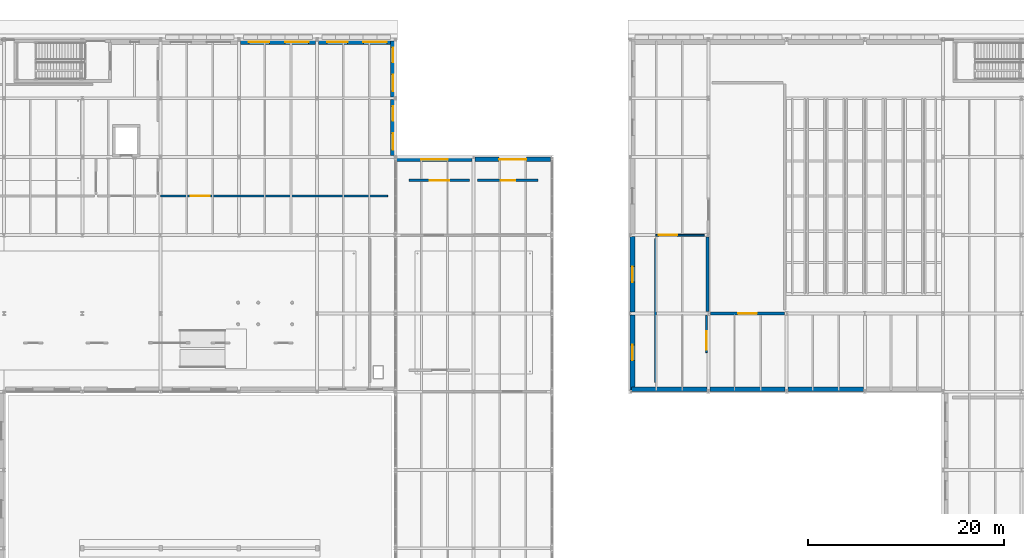
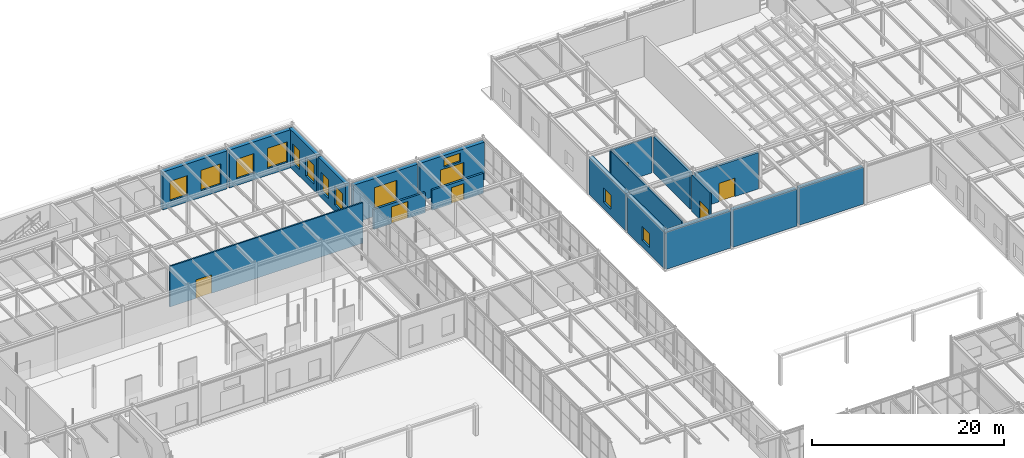
# One storey, part 83 of 129: 19 walls, 12 windows, 7 doors, 19 openings.
"""IFC4 building model written with IfcOpenShell, lengths in metres."""

from ifc_helpers import new_model, si_unit, direction, frame, frame_2d, origin, place, context, subcontext, project, spatial, rectangle, extrude, material, layer, layer_set, type_object, element, fill, save


model = new_model("IFC4")

# Units and contexts
model_context = context("Model", 3, precision=1e-05, world=origin(), true_north=direction((0.0, 1.0)))
body_context = subcontext(model_context, "Body", "Model", "MODEL_VIEW")
ifc_project = project(units=[si_unit("LENGTHUNIT", "METRE"), si_unit("AREAUNIT", "SQUARE_METRE"), si_unit("VOLUMEUNIT", "CUBIC_METRE"), si_unit("PLANEANGLEUNIT", "RADIAN"), si_unit("MASSUNIT", "GRAM", prefix="KILO")], contexts=[model_context])

# Site, building, storey
site_placement = place(None, origin())
site = spatial("IfcSite", under=ifc_project, at=site_placement, CompositionType="ELEMENT")
building_placement = place(site_placement, origin())
building = spatial("IfcBuilding", under=site, at=building_placement, Name="Sundkrona Museum", CompositionType="ELEMENT")
storey_placement = place(building_placement, origin())
storey = spatial("IfcBuildingStorey", under=building, at=storey_placement, Name="L00", CompositionType="ELEMENT", Elevation=0.0)

# Wall, opening, door
ifc_material_1 = material(Name="Acoustic Double-Leaf Brick Masonry 275 mm", Category="masonry")
ifc_layer_1 = layer(ifc_material_1, 0.27490234375)
ifc_layer_set_1 = layer_set([ifc_layer_1], Name="Acoustic Double-Leaf Brick Masonry 275 mm")
wall_type_1 = type_object("IfcWallType", Name="W-AUD-275", PredefinedType="SOLIDWALL", material=ifc_layer_set_1)
wall_1_placement = place(storey_placement, frame((112.199951171875, 86.0, 0.0), z_axis=(0.0, 0.0, 1.0), x_axis=(1.0, 0.0, 0.0)))
wall_1 = element("IfcWall", 1, at=wall_1_placement, inside=storey, type_object=wall_type_1, Name="L00 Partition Auditorium South Corridor / Auditorium", PredefinedType="SOLIDWALL", context=body_context, shape_type="SweptSolid", body=[
    extrude(rectangle(XDim=7.60009765625, YDim=0.27490234375, at=frame_2d((3.800048828125, 0.0))), origin(), (0.0, 0.0, 1.0), 4.610107421875),
])
opening_1_placement = place(wall_1_placement, frame((2.85009765625, 0.0, 0.0)))
opening_1 = element("IfcOpeningElement", 2, at=opening_1_placement, cuts=wall_1, Name="Opening D-AUD-190", PredefinedType="OPENING", context=body_context, shape_type="SweptSolid", body=[
    extrude(rectangle(XDim=1.89990234375, YDim=2.35009765625, at=frame_2d((0.949951171875, 1.175048828125))), frame((0.0, 0.1474609375, 0.0), z_axis=(0.0, -1.0, 0.0), x_axis=(1.0, 0.0, 0.0)), (0.0, 0.0, 1.0), 0.294921875),
])
ifc_material_2 = material(Name="Acoustic Oak Fire Door", Category="other")
door_type_1 = type_object("IfcDoorType", Name="D-AUD-190", OperationType="DOUBLE_DOOR_SINGLE_SWING", PredefinedType="DOOR", material=ifc_material_2)
door_1_placement = place(opening_1_placement, origin())
door_1 = element("IfcDoor", 3, at=door_1_placement, inside=storey, type_object=door_type_1, Name="L00 Interior Door DR-ADJ-L00-0062", OperationType="DOUBLE_DOOR_SINGLE_SWING", OverallHeight=2.35009765625, OverallWidth=1.89990234375, PredefinedType="DOOR", context=body_context, shape_type="SweptSolid", body=[
    extrude(rectangle(XDim=1.89990234375, YDim=2.35009765625, at=frame_2d((0.949951171875, 1.175048828125))), frame((0.0, 0.02490234375, 0.0), z_axis=(0.0, -1.0, 0.0), x_axis=(1.0, 0.0, 0.0)), (0.0, 0.0, 1.0), 0.050048828125),
])
fill(opening_1, door_1)

# Wall
wall_2_placement = place(storey_placement, frame((111.89990234375, 86.199951171875, 0.0), z_axis=(0.0, 0.0, 1.0), x_axis=(0.0, 1.0, 0.0)))
element("IfcWall", 4, at=wall_2_placement, inside=storey, type_object=wall_type_1, Name="L00 Partition Auditorium / Auditorium Reception Foyer", PredefinedType="SOLIDWALL", context=body_context, shape_type="SweptSolid", body=[
    extrude(rectangle(XDim=7.60009765625, YDim=0.27490234375, at=frame_2d((3.800048828125, 0.0))), origin(), (0.0, 0.0, 1.0), 4.610107421875),
])

# Wall, openings, windows
ifc_material_3 = material(Name="Danian Limestone Ashlar Masonry 480 mm", Category="masonry")
ifc_layer_2 = layer(ifc_material_3, 0.47998046875)
ifc_layer_set_2 = layer_set([ifc_layer_2], Name="Danian Limestone Ashlar Masonry 480 mm")
wall_type_2 = type_object("IfcWallType", Name="W-LIM-480", PredefinedType="SOLIDWALL", material=ifc_layer_set_2)
wall_3_placement = place(storey_placement, frame((64.152099609375, 113.760009765625, 0.0), z_axis=(0.0, 0.0, 1.0), x_axis=(1.0, 0.0, 0.0)))
wall_3 = element("IfcWall", 5, at=wall_3_placement, inside=storey, type_object=wall_type_2, Name="L00 Facade Wall 0114", PredefinedType="SOLIDWALL", context=body_context, shape_type="SweptSolid", body=[
    extrude(rectangle(XDim=7.69580078125, YDim=0.47998046875, at=frame_2d((3.847900390625, 0.0))), origin(), (0.0, 0.0, 1.0), 4.8349609375),
])
opening_2_placement = place(wall_3_placement, frame((0.8740234375, 0.0, 0.85009765625)))
opening_2 = element("IfcOpeningElement", 6, at=opening_2_placement, cuts=wall_3, Name="Opening WN-GL-210x250", PredefinedType="OPENING", context=body_context, shape_type="SweptSolid", body=[
    extrude(rectangle(XDim=2.10009765625, YDim=2.5, at=frame_2d((1.050048828125, 1.25))), frame((0.0, 0.25, 0.0), z_axis=(0.0, -1.0, 0.0), x_axis=(1.0, 0.0, 0.0)), (0.0, 0.0, 1.0), 0.5),
])
opening_3_placement = place(wall_3_placement, frame((4.572021484375, 0.0, 0.85009765625)))
opening_3 = element("IfcOpeningElement", 7, at=opening_3_placement, cuts=wall_3, Name="Opening WN-GL-240x260", PredefinedType="OPENING", context=body_context, shape_type="SweptSolid", body=[
    extrude(rectangle(XDim=2.39990234375, YDim=2.60009765625, at=frame_2d((1.199951171875, 1.300048828125))), frame((0.0, 0.25, 0.0), z_axis=(0.0, -1.0, 0.0), x_axis=(1.0, 0.0, 0.0)), (0.0, 0.0, 1.0), 0.5),
])
ifc_material_4 = material(Name="Triple Low-E Argon Glazing in Bronze-Anodised Aluminium", Category="aluminium")
window_type_1 = type_object("IfcWindowType", Name="WN-GL-210x250", PartitioningType="DOUBLE_PANEL_VERTICAL", PredefinedType="WINDOW", material=ifc_material_4)
window_1_placement = place(opening_2_placement, origin())
window_1 = element("IfcWindow", 8, at=window_1_placement, inside=storey, type_object=window_type_1, Name="L00 Botanical court outlook window 2100x2500 WIN-L00-0154", OverallHeight=2.5, OverallWidth=2.10009765625, PartitioningType="DOUBLE_PANEL_VERTICAL", PredefinedType="WINDOW", context=body_context, shape_type="SweptSolid", body=[
    extrude(rectangle(XDim=2.10009765625, YDim=2.5, at=frame_2d((1.050048828125, 1.25))), frame((0.0, 0.030029296875, 0.0), z_axis=(0.0, -1.0, 0.0), x_axis=(1.0, 0.0, 0.0)), (0.0, 0.0, 1.0), 0.06005859375),
])
fill(opening_2, window_1)
window_type_2 = type_object("IfcWindowType", Name="WN-GL-240x260", PartitioningType="TRIPLE_PANEL_VERTICAL", PredefinedType="WINDOW", material=ifc_material_4)
window_2_placement = place(opening_3_placement, origin())
window_2 = element("IfcWindow", 9, at=window_2_placement, inside=storey, type_object=window_type_2, Name="L00 Cloister garden picture window 2400x2600 WIN-L00-0155", OverallHeight=2.60009765625, OverallWidth=2.39990234375, PartitioningType="TRIPLE_PANEL_VERTICAL", PredefinedType="WINDOW", context=body_context, shape_type="SweptSolid", body=[
    extrude(rectangle(XDim=2.39990234375, YDim=2.60009765625, at=frame_2d((1.199951171875, 1.300048828125))), frame((0.0, 0.030029296875, 0.0), z_axis=(0.0, -1.0, 0.0), x_axis=(1.0, 0.0, 0.0)), (0.0, 0.0, 1.0), 0.06005859375),
])
fill(opening_3, window_2)

wall_4_placement = place(storey_placement, frame((72.152099609375, 113.760009765625, 0.0), z_axis=(0.0, 0.0, 1.0), x_axis=(1.0, 0.0, 0.0)))
wall_4 = element("IfcWall", 10, at=wall_4_placement, inside=storey, type_object=wall_type_2, Name="L00 Facade Wall 0115", PredefinedType="SOLIDWALL", context=body_context, shape_type="SweptSolid", body=[
    extrude(rectangle(XDim=7.705810546875, YDim=0.47998046875, at=frame_2d((3.85302734375, 0.0))), origin(), (0.0, 0.0, 1.0), 4.8349609375),
])
opening_4_placement = place(wall_4_placement, frame((0.87646484375, 0.0, 0.85009765625)))
opening_4 = element("IfcOpeningElement", 11, at=opening_4_placement, cuts=wall_4, Name="Opening WN-GL-210x250", PredefinedType="OPENING", context=body_context, shape_type="SweptSolid", body=[
    extrude(rectangle(XDim=2.10009765625, YDim=2.5, at=frame_2d((1.050048828125, 1.25))), frame((0.0, 0.25, 0.0), z_axis=(0.0, -1.0, 0.0), x_axis=(1.0, 0.0, 0.0)), (0.0, 0.0, 1.0), 0.5),
])
opening_5_placement = place(wall_4_placement, frame((4.57958984375, 0.0, 0.85009765625)))
opening_5 = element("IfcOpeningElement", 12, at=opening_5_placement, cuts=wall_4, Name="Opening WN-GL-240x260", PredefinedType="OPENING", context=body_context, shape_type="SweptSolid", body=[
    extrude(rectangle(XDim=2.39990234375, YDim=2.60009765625, at=frame_2d((1.199951171875, 1.300048828125))), frame((0.0, 0.25, 0.0), z_axis=(0.0, -1.0, 0.0), x_axis=(1.0, 0.0, 0.0)), (0.0, 0.0, 1.0), 0.5),
])
window_3_placement = place(opening_4_placement, origin())
window_3 = element("IfcWindow", 13, at=window_3_placement, inside=storey, type_object=window_type_1, Name="L00 Botanical court outlook window 2100x2500 WIN-L00-0156", OverallHeight=2.5, OverallWidth=2.10009765625, PartitioningType="DOUBLE_PANEL_VERTICAL", PredefinedType="WINDOW", context=body_context, shape_type="SweptSolid", body=[
    extrude(rectangle(XDim=2.10009765625, YDim=2.5, at=frame_2d((1.050048828125, 1.25))), frame((0.0, 0.030029296875, 0.0), z_axis=(0.0, -1.0, 0.0), x_axis=(1.0, 0.0, 0.0)), (0.0, 0.0, 1.0), 0.06005859375),
])
fill(opening_4, window_3)
window_4_placement = place(opening_5_placement, origin())
window_4 = element("IfcWindow", 14, at=window_4_placement, inside=storey, type_object=window_type_2, Name="L00 Cloister garden picture window 2400x2600 WIN-L00-0157", OverallHeight=2.60009765625, OverallWidth=2.39990234375, PartitioningType="TRIPLE_PANEL_VERTICAL", PredefinedType="WINDOW", context=body_context, shape_type="SweptSolid", body=[
    extrude(rectangle(XDim=2.39990234375, YDim=2.60009765625, at=frame_2d((1.199951171875, 1.300048828125))), frame((0.0, 0.030029296875, 0.0), z_axis=(0.0, -1.0, 0.0), x_axis=(1.0, 0.0, 0.0)), (0.0, 0.0, 1.0), 0.06005859375),
])
fill(opening_5, window_4)

# Wall, opening, window
wall_5_placement = place(storey_placement, frame((80.14208984375, 101.760009765625, 0.0), z_axis=(0.0, 0.0, 1.0), x_axis=(1.0, 0.0, 0.0)))
wall_5 = element("IfcWall", 15, at=wall_5_placement, inside=storey, type_object=wall_type_2, Name="L00 Facade Wall 0247", PredefinedType="SOLIDWALL", context=body_context, shape_type="SweptSolid", body=[
    extrude(rectangle(XDim=7.7158203125, YDim=0.47998046875, at=frame_2d((3.85791015625, 0.0))), origin(), (0.0, 0.0, 1.0), 4.81494140625),
])
opening_6_placement = place(wall_5_placement, frame((2.508056640625, 0.0, 0.85009765625)))
opening_6 = element("IfcOpeningElement", 16, at=opening_6_placement, cuts=wall_5, Name="Opening WN-CF-270x280", PredefinedType="OPENING", context=body_context, shape_type="SweptSolid", body=[
    extrude(rectangle(XDim=2.699951171875, YDim=2.800048828125, at=frame_2d((1.35009765625, 1.39990234375))), frame((0.0, 0.25, 0.0), z_axis=(0.0, -1.0, 0.0), x_axis=(1.0, 0.0, 0.0)), (0.0, 0.0, 1.0), 0.5),
])
window_type_3 = type_object("IfcWindowType", Name="WN-CF-270x280", PartitioningType="TRIPLE_PANEL_VERTICAL", PredefinedType="WINDOW", material=ifc_material_4)
window_5_placement = place(opening_6_placement, origin())
window_5 = element("IfcWindow", 17, at=window_5_placement, inside=storey, type_object=window_type_3, Name="L00 Visitor cafe avenue storefront window 2700x2800 WIN-L00-0338", OverallHeight=2.800048828125, OverallWidth=2.699951171875, PartitioningType="TRIPLE_PANEL_VERTICAL", PredefinedType="WINDOW", context=body_context, shape_type="SweptSolid", body=[
    extrude(rectangle(XDim=2.699951171875, YDim=2.800048828125, at=frame_2d((1.35009765625, 1.39990234375))), frame((0.0, 0.030029296875, 0.0), z_axis=(0.0, -1.0, 0.0), x_axis=(1.0, 0.0, 0.0)), (0.0, 0.0, 1.0), 0.06005859375),
])
fill(opening_6, window_5)

# Wall, openings, door, window
wall_6_placement = place(storey_placement, frame((88.14208984375, 101.760009765625, 0.0), z_axis=(0.0, 0.0, 1.0), x_axis=(1.0, 0.0, 0.0)))
wall_6 = element("IfcWall", 18, at=wall_6_placement, inside=storey, type_object=wall_type_2, Name="L00 Facade Wall 0248", PredefinedType="SOLIDWALL", context=body_context, shape_type="SweptSolid", body=[
    extrude(rectangle(XDim=7.7158203125, YDim=0.47998046875, at=frame_2d((3.85791015625, 0.0))), origin(), (0.0, 0.0, 1.0), 4.81494140625),
])
opening_7_placement = place(wall_6_placement, frame((2.4580078125, 0.0, 0.0)))
opening_7 = element("IfcOpeningElement", 19, at=opening_7_placement, cuts=wall_6, Name="Opening D-EX-280", PredefinedType="OPENING", context=body_context, shape_type="SweptSolid", body=[
    extrude(rectangle(XDim=2.800048828125, YDim=3.10009765625, at=frame_2d((1.39990234375, 1.550048828125))), frame((0.0, 0.25, 0.0), z_axis=(0.0, -1.0, 0.0), x_axis=(1.0, 0.0, 0.0)), (0.0, 0.0, 1.0), 0.5),
])
opening_8_placement = place(wall_6_placement, frame((2.85791015625, 0.0, 3.320068359375)))
opening_8 = element("IfcOpeningElement", 20, at=opening_8_placement, cuts=wall_6, Name="Opening WN-CL-200x110", PredefinedType="OPENING", context=body_context, shape_type="SweptSolid", body=[
    extrude(rectangle(XDim=2.0, YDim=1.10009765625, at=frame_2d((1.0, 0.550048828125))), frame((0.0, 0.25, 0.0), z_axis=(0.0, -1.0, 0.0), x_axis=(1.0, 0.0, 0.0)), (0.0, 0.0, 1.0), 0.5),
])
ifc_material_5 = material(Name="Bronze and Triple-Glazed Entrance Door", Category="other")
door_type_2 = type_object("IfcDoorType", Name="D-EX-280", OperationType="DOUBLE_DOOR_SINGLE_SWING", PredefinedType="DOOR", material=ifc_material_5)
door_2_placement = place(opening_7_placement, origin())
door_2 = element("IfcDoor", 21, at=door_2_placement, inside=storey, type_object=door_type_2, Name="L00 Exterior Door D-EX-280 DR-FE-PSG-N", OperationType="DOUBLE_DOOR_SINGLE_SWING", OverallHeight=3.10009765625, OverallWidth=2.800048828125, PredefinedType="DOOR", context=body_context, shape_type="SweptSolid", body=[
    extrude(rectangle(XDim=2.800048828125, YDim=3.10009765625, at=frame_2d((1.39990234375, 1.550048828125))), frame((0.0, 0.02490234375, 0.0), z_axis=(0.0, -1.0, 0.0), x_axis=(1.0, 0.0, 0.0)), (0.0, 0.0, 1.0), 0.050048828125),
])
fill(opening_7, door_2)
window_type_4 = type_object("IfcWindowType", Name="WN-CL-200x110", PartitioningType="DOUBLE_PANEL_HORIZONTAL", PredefinedType="WINDOW", material=ifc_material_4)
window_6_placement = place(opening_8_placement, origin())
window_6 = element("IfcWindow", 22, at=window_6_placement, inside=storey, type_object=window_type_4, Name="L00 Archive foyer clerestory window 2000x1100 WIN-L00-0339", OverallHeight=1.10009765625, OverallWidth=2.0, PartitioningType="DOUBLE_PANEL_HORIZONTAL", PredefinedType="WINDOW", context=body_context, shape_type="SweptSolid", body=[
    extrude(rectangle(XDim=2.0, YDim=1.10009765625, at=frame_2d((1.0, 0.550048828125))), frame((0.0, 0.030029296875, 0.0), z_axis=(0.0, -1.0, 0.0), x_axis=(1.0, 0.0, 0.0)), (0.0, 0.0, 1.0), 0.06005859375),
])
fill(opening_8, window_6)

# Wall, openings, windows
wall_7_placement = place(storey_placement, frame((79.760009765625, 107.85791015625, 0.0), z_axis=(0.0, 0.0, 1.0), x_axis=(0.0, -1.0, 0.0)))
wall_7 = element("IfcWall", 23, at=wall_7_placement, inside=storey, type_object=wall_type_2, Name="L00 Facade Wall 0251", PredefinedType="SOLIDWALL", context=body_context, shape_type="SweptSolid", body=[
    extrude(rectangle(XDim=5.7158203125, YDim=0.47998046875, at=frame_2d((2.85791015625, 0.0))), origin(), (0.0, 0.0, 1.0), 4.81494140625),
])
opening_9_placement = place(wall_7_placement, frame((0.678955078125, 0.0, 0.85009765625)))
opening_9 = element("IfcOpeningElement", 24, at=opening_9_placement, cuts=wall_7, Name="Opening WN-GL-150x240", PredefinedType="OPENING", context=body_context, shape_type="SweptSolid", body=[
    extrude(rectangle(XDim=1.5, YDim=2.39990234375, at=frame_2d((0.75, 1.199951171875))), frame((0.0, 0.25, 0.0), z_axis=(0.0, -1.0, 0.0), x_axis=(1.0, 0.0, 0.0)), (0.0, 0.0, 1.0), 0.5),
])
opening_10_placement = place(wall_7_placement, frame((3.43701171875, 0.0, 0.85009765625)))
opening_10 = element("IfcOpeningElement", 25, at=opening_10_placement, cuts=wall_7, Name="Opening WN-GL-170x240", PredefinedType="OPENING", context=body_context, shape_type="SweptSolid", body=[
    extrude(rectangle(XDim=1.699951171875, YDim=2.39990234375, at=frame_2d((0.85009765625, 1.199951171875))), frame((0.0, 0.25, 0.0), z_axis=(0.0, -1.0, 0.0), x_axis=(1.0, 0.0, 0.0)), (0.0, 0.0, 1.0), 0.5),
])
window_type_5 = type_object("IfcWindowType", Name="WN-GL-150x240", PartitioningType="SINGLE_PANEL", PredefinedType="WINDOW", material=ifc_material_4)
window_7_placement = place(opening_9_placement, origin())
window_7 = element("IfcWindow", 26, at=window_7_placement, inside=storey, type_object=window_type_5, Name="L00 Finned wing deep-reveal gallery window 1500x2400 WIN-L00-0342", OverallHeight=2.39990234375, OverallWidth=1.5, PartitioningType="SINGLE_PANEL", PredefinedType="WINDOW", context=body_context, shape_type="SweptSolid", body=[
    extrude(rectangle(XDim=1.5, YDim=2.39990234375, at=frame_2d((0.75, 1.199951171875))), frame((0.0, 0.030029296875, 0.0), z_axis=(0.0, -1.0, 0.0), x_axis=(1.0, 0.0, 0.0)), (0.0, 0.0, 1.0), 0.06005859375),
])
fill(opening_9, window_7)
window_type_6 = type_object("IfcWindowType", Name="WN-GL-170x240", PartitioningType="DOUBLE_PANEL_VERTICAL", PredefinedType="WINDOW", material=ifc_material_4)
window_8_placement = place(opening_10_placement, origin())
window_8 = element("IfcWindow", 27, at=window_8_placement, inside=storey, type_object=window_type_6, Name="L00 Finned wing wide gallery window 1700x2400 WIN-L00-0343", OverallHeight=2.39990234375, OverallWidth=1.699951171875, PartitioningType="DOUBLE_PANEL_VERTICAL", PredefinedType="WINDOW", context=body_context, shape_type="SweptSolid", body=[
    extrude(rectangle(XDim=1.699951171875, YDim=2.39990234375, at=frame_2d((0.85009765625, 1.199951171875))), frame((0.0, 0.030029296875, 0.0), z_axis=(0.0, -1.0, 0.0), x_axis=(1.0, 0.0, 0.0)), (0.0, 0.0, 1.0), 0.06005859375),
])
fill(opening_10, window_8)

wall_8_placement = place(storey_placement, frame((79.760009765625, 113.85791015625, 0.0), z_axis=(0.0, 0.0, 1.0), x_axis=(0.0, -1.0, 0.0)))
wall_8 = element("IfcWall", 28, at=wall_8_placement, inside=storey, type_object=wall_type_2, Name="L00 Facade Wall 0252", PredefinedType="SOLIDWALL", context=body_context, shape_type="SweptSolid", body=[
    extrude(rectangle(XDim=5.7158203125, YDim=0.47998046875, at=frame_2d((2.85791015625, 0.0))), origin(), (0.0, 0.0, 1.0), 4.8349609375),
])
opening_11_placement = place(wall_8_placement, frame((0.678955078125, 0.0, 0.85009765625)))
opening_11 = element("IfcOpeningElement", 29, at=opening_11_placement, cuts=wall_8, Name="Opening WN-GL-150x240", PredefinedType="OPENING", context=body_context, shape_type="SweptSolid", body=[
    extrude(rectangle(XDim=1.5, YDim=2.39990234375, at=frame_2d((0.75, 1.199951171875))), frame((0.0, 0.25, 0.0), z_axis=(0.0, -1.0, 0.0), x_axis=(1.0, 0.0, 0.0)), (0.0, 0.0, 1.0), 0.5),
])
opening_12_placement = place(wall_8_placement, frame((3.43701171875, 0.0, 0.85009765625)))
opening_12 = element("IfcOpeningElement", 30, at=opening_12_placement, cuts=wall_8, Name="Opening WN-GL-170x240", PredefinedType="OPENING", context=body_context, shape_type="SweptSolid", body=[
    extrude(rectangle(XDim=1.699951171875, YDim=2.39990234375, at=frame_2d((0.85009765625, 1.199951171875))), frame((0.0, 0.25, 0.0), z_axis=(0.0, -1.0, 0.0), x_axis=(1.0, 0.0, 0.0)), (0.0, 0.0, 1.0), 0.5),
])
window_9_placement = place(opening_11_placement, origin())
window_9 = element("IfcWindow", 31, at=window_9_placement, inside=storey, type_object=window_type_5, Name="L00 Finned wing deep-reveal gallery window 1500x2400 WIN-L00-0344", OverallHeight=2.39990234375, OverallWidth=1.5, PartitioningType="SINGLE_PANEL", PredefinedType="WINDOW", context=body_context, shape_type="SweptSolid", body=[
    extrude(rectangle(XDim=1.5, YDim=2.39990234375, at=frame_2d((0.75, 1.199951171875))), frame((0.0, 0.030029296875, 0.0), z_axis=(0.0, -1.0, 0.0), x_axis=(1.0, 0.0, 0.0)), (0.0, 0.0, 1.0), 0.06005859375),
])
fill(opening_11, window_9)
window_10_placement = place(opening_12_placement, origin())
window_10 = element("IfcWindow", 32, at=window_10_placement, inside=storey, type_object=window_type_6, Name="L00 Finned wing wide gallery window 1700x2400 WIN-L00-0345", OverallHeight=2.39990234375, OverallWidth=1.699951171875, PartitioningType="DOUBLE_PANEL_VERTICAL", PredefinedType="WINDOW", context=body_context, shape_type="SweptSolid", body=[
    extrude(rectangle(XDim=1.699951171875, YDim=2.39990234375, at=frame_2d((0.85009765625, 1.199951171875))), frame((0.0, 0.030029296875, 0.0), z_axis=(0.0, -1.0, 0.0), x_axis=(1.0, 0.0, 0.0)), (0.0, 0.0, 1.0), 0.06005859375),
])
fill(opening_12, window_10)

# Wall, opening, window
wall_9_placement = place(storey_placement, frame((104.239990234375, 78.14208984375, 0.0), z_axis=(0.0, 0.0, 1.0), x_axis=(0.0, 1.0, 0.0)))
wall_9 = element("IfcWall", 33, at=wall_9_placement, inside=storey, type_object=wall_type_2, Name="L00 Facade Wall 0265", PredefinedType="SOLIDWALL", context=body_context, shape_type="SweptSolid", body=[
    extrude(rectangle(XDim=7.7158203125, YDim=0.47998046875, at=frame_2d((3.85791015625, 0.0))), origin(), (0.0, 0.0, 1.0), 4.72509765625),
])
opening_13_placement = place(wall_9_placement, frame((3.05810546875, 0.0, 0.85009765625)))
opening_13 = element("IfcOpeningElement", 34, at=opening_13_placement, cuts=wall_9, Name="Opening WN-LB-160x180", PredefinedType="OPENING", context=body_context, shape_type="SweptSolid", body=[
    extrude(rectangle(XDim=1.60009765625, YDim=1.800048828125, at=frame_2d((0.800048828125, 0.89990234375))), frame((0.0, 0.25, 0.0), z_axis=(0.0, -1.0, 0.0), x_axis=(1.0, 0.0, 0.0)), (0.0, 0.0, 1.0), 0.5),
])
window_type_7 = type_object("IfcWindowType", Name="WN-LB-160x180", PartitioningType="DOUBLE_PANEL_VERTICAL", PredefinedType="WINDOW", material=ifc_material_4)
window_11_placement = place(opening_13_placement, origin())
window_11 = element("IfcWindow", 35, at=window_11_placement, inside=storey, type_object=window_type_7, Name="L00 Conservation laboratory deep-reveal window 1600x1800 WIN-L00-0370", OverallHeight=1.800048828125, OverallWidth=1.60009765625, PartitioningType="DOUBLE_PANEL_VERTICAL", PredefinedType="WINDOW", context=body_context, shape_type="SweptSolid", body=[
    extrude(rectangle(XDim=1.60009765625, YDim=1.800048828125, at=frame_2d((0.800048828125, 0.89990234375))), frame((0.0, 0.030029296875, 0.0), z_axis=(0.0, -1.0, 0.0), x_axis=(1.0, 0.0, 0.0)), (0.0, 0.0, 1.0), 0.06005859375),
])
fill(opening_13, window_11)

wall_10_placement = place(storey_placement, frame((104.239990234375, 86.14208984375, 0.0), z_axis=(0.0, 0.0, 1.0), x_axis=(0.0, 1.0, 0.0)))
wall_10 = element("IfcWall", 36, at=wall_10_placement, inside=storey, type_object=wall_type_2, Name="L00 Facade Wall 0266", PredefinedType="SOLIDWALL", context=body_context, shape_type="SweptSolid", body=[
    extrude(rectangle(XDim=7.7158203125, YDim=0.47998046875, at=frame_2d((3.85791015625, 0.0))), origin(), (0.0, 0.0, 1.0), 4.72509765625),
])
opening_14_placement = place(wall_10_placement, frame((3.05810546875, 0.0, 0.85009765625)))
opening_14 = element("IfcOpeningElement", 37, at=opening_14_placement, cuts=wall_10, Name="Opening WN-LB-160x180", PredefinedType="OPENING", context=body_context, shape_type="SweptSolid", body=[
    extrude(rectangle(XDim=1.60009765625, YDim=1.800048828125, at=frame_2d((0.800048828125, 0.89990234375))), frame((0.0, 0.25, 0.0), z_axis=(0.0, -1.0, 0.0), x_axis=(1.0, 0.0, 0.0)), (0.0, 0.0, 1.0), 0.5),
])
window_12_placement = place(opening_14_placement, origin())
window_12 = element("IfcWindow", 38, at=window_12_placement, inside=storey, type_object=window_type_7, Name="L00 Conservation laboratory deep-reveal window 1600x1800 WIN-L00-0371", OverallHeight=1.800048828125, OverallWidth=1.60009765625, PartitioningType="DOUBLE_PANEL_VERTICAL", PredefinedType="WINDOW", context=body_context, shape_type="SweptSolid", body=[
    extrude(rectangle(XDim=1.60009765625, YDim=1.800048828125, at=frame_2d((0.800048828125, 0.89990234375))), frame((0.0, 0.030029296875, 0.0), z_axis=(0.0, -1.0, 0.0), x_axis=(1.0, 0.0, 0.0)), (0.0, 0.0, 1.0), 0.06005859375),
])
fill(opening_14, window_12)

# Walls
wall_11_placement = place(storey_placement, frame((111.847900390625, 78.239990234375, 0.0), z_axis=(0.0, 0.0, 1.0), x_axis=(-1.0, 0.0, 0.0)))
element("IfcWall", 39, at=wall_11_placement, inside=storey, type_object=wall_type_2, Name="L00 Facade Wall 0270", PredefinedType="SOLIDWALL", context=body_context, shape_type="SweptSolid", body=[
    extrude(rectangle(XDim=7.705810546875, YDim=0.47998046875, at=frame_2d((3.85302734375, 0.0))), origin(), (0.0, 0.0, 1.0), 4.72509765625),
])
for number, where, z_axis, x_axis, name in (
    (40, (119.847900390625, 78.239990234375, 0.0), (0.0, 0.0, 1.0), (-1.0, 0.0, 0.0), "L00 Facade Wall 0271"),
    (41, (127.847900390625, 78.239990234375, 0.0), (0.0, 0.0, 1.0), (-1.0, 0.0, 0.0), "L00 Facade Wall 0272"),
):
    element("IfcWall", number, at=place(storey_placement, frame(where, z_axis=z_axis, x_axis=x_axis)), inside=storey, type_object=wall_type_2, Name=name, PredefinedType="SOLIDWALL", context=body_context, shape_type="SweptSolid", body=[
        extrude(rectangle(XDim=7.69580078125, YDim=0.47998046875, at=frame_2d((3.847900390625, 0.0))), origin(), (0.0, 0.0, 1.0), 4.72509765625),
    ])

# Wall, opening, door
ifc_material_6 = material(Name="Copper-capped Scanian Brick Masonry 250 mm", Category="masonry")
ifc_layer_3 = layer(ifc_material_6, 0.25)
ifc_layer_set_3 = layer_set([ifc_layer_3], Name="Copper-capped Scanian Brick Masonry 250 mm")
wall_type_3 = type_object("IfcWallType", Name="W-PR-250", PredefinedType="PARAPET", material=ifc_layer_set_3)
wall_12_placement = place(storey_placement, frame((81.39990234375, 99.60009765625, 0.0), z_axis=(0.0, 0.0, 1.0), x_axis=(1.0, 0.0, 0.0)))
wall_12 = element("IfcWall", 42, at=wall_12_placement, inside=storey, type_object=wall_type_3, Name="Courtyard Masonry Screen Wall SC-S2", PredefinedType="PARAPET", context=body_context, shape_type="SweptSolid", body=[
    extrude(rectangle(XDim=6.2001953125, YDim=0.25, at=frame_2d((3.10009765625, 0.0))), origin(), (0.0, 0.0, 1.0), 2.550048828125),
])
opening_15_placement = place(wall_12_placement, frame((2.10009765625, 0.0, 0.0)))
opening_15 = element("IfcOpeningElement", 43, at=opening_15_placement, cuts=wall_12, Name="Opening GT-200", PredefinedType="OPENING", context=body_context, shape_type="SweptSolid", body=[
    extrude(rectangle(XDim=2.0, YDim=2.14990234375, at=frame_2d((1.0, 1.074951171875))), frame((0.0, 0.135009765625, 0.0), z_axis=(0.0, -1.0, 0.0), x_axis=(1.0, 0.0, 0.0)), (0.0, 0.0, 1.0), 0.27001953125),
])
ifc_material_7 = material(Name="Wrought Steel Modernisme Double Gate", Category="steel")
door_type_3 = type_object("IfcDoorType", Name="GT-200", OperationType="DOUBLE_DOOR_SINGLE_SWING", PredefinedType="GATE", material=ifc_material_7)
door_3_placement = place(opening_15_placement, origin())
door_3 = element("IfcDoor", 44, at=door_3_placement, inside=storey, type_object=door_type_3, Name="Courtyard Escape Gate GT-200 DR-GATE-SC-S2", OperationType="DOUBLE_DOOR_SINGLE_SWING", OverallHeight=2.14990234375, OverallWidth=2.0, PredefinedType="GATE", context=body_context, shape_type="SweptSolid", body=[
    extrude(rectangle(XDim=2.0, YDim=2.14990234375, at=frame_2d((1.0, 1.074951171875))), frame((0.0, 0.02490234375, 0.0), z_axis=(0.0, -1.0, 0.0), x_axis=(1.0, 0.0, 0.0)), (0.0, 0.0, 1.0), 0.050048828125),
])
fill(opening_15, door_3)

wall_13_placement = place(storey_placement, frame((88.39990234375, 99.60009765625, 0.0), z_axis=(0.0, 0.0, 1.0), x_axis=(1.0, 0.0, 0.0)))
wall_13 = element("IfcWall", 45, at=wall_13_placement, inside=storey, type_object=wall_type_3, Name="Courtyard Masonry Screen Wall SC-E1", PredefinedType="PARAPET", context=body_context, shape_type="SweptSolid", body=[
    extrude(rectangle(XDim=6.2001953125, YDim=0.25, at=frame_2d((3.10009765625, 0.0))), origin(), (0.0, 0.0, 1.0), 2.550048828125),
])
opening_16_placement = place(wall_13_placement, frame((2.35009765625, 0.0, 0.0)))
opening_16 = element("IfcOpeningElement", 46, at=opening_16_placement, cuts=wall_13, Name="Opening GT-150", PredefinedType="OPENING", context=body_context, shape_type="SweptSolid", body=[
    extrude(rectangle(XDim=1.5, YDim=2.050048828125, at=frame_2d((0.75, 1.02490234375))), frame((0.0, 0.135009765625, 0.0), z_axis=(0.0, -1.0, 0.0), x_axis=(1.0, 0.0, 0.0)), (0.0, 0.0, 1.0), 0.27001953125),
])
ifc_material_8 = material(Name="Wrought Steel Modernisme Bar Gate", Category="steel")
door_type_4 = type_object("IfcDoorType", Name="GT-150", OperationType="NOTDEFINED", PredefinedType="GATE", material=ifc_material_8)
door_4_placement = place(opening_16_placement, origin())
door_4 = element("IfcDoor", 47, at=door_4_placement, inside=storey, type_object=door_type_4, Name="Courtyard Escape Gate GT-150 DR-GATE-SC-E1", OperationType="SINGLE_SWING_LEFT", OverallHeight=2.050048828125, OverallWidth=1.5, PredefinedType="GATE", context=body_context, shape_type="SweptSolid", body=[
    extrude(rectangle(XDim=1.5, YDim=2.050048828125, at=frame_2d((0.75, 1.02490234375))), frame((0.0, 0.02490234375, 0.0), z_axis=(0.0, -1.0, 0.0), x_axis=(1.0, 0.0, 0.0)), (0.0, 0.0, 1.0), 0.050048828125),
])
fill(opening_16, door_4)

ifc_material_9 = material(Name="Fire-rated Gypsum Partition Board 175 mm", Category="other")
ifc_layer_4 = layer(ifc_material_9, 0.175048828125)
ifc_layer_set_4 = layer_set([ifc_layer_4], Name="Fire-rated Gypsum Partition Board 175 mm")
wall_type_4 = type_object("IfcWallType", Name="W-PT-175", PredefinedType="PARTITIONING", material=ifc_layer_set_4)
wall_14_placement = place(storey_placement, frame((56.0, 98.0, 0.0), z_axis=(0.0, 0.0, 1.0), x_axis=(1.0, 0.0, 0.0)))
wall_14 = element("IfcWall", 48, at=wall_14_placement, inside=storey, type_object=wall_type_4, Name="L00 Partition North-West Gallery Corridor / Covered Cycle Store", PredefinedType="PARTITIONING", context=body_context, shape_type="SweptSolid", body=[
    extrude(rectangle(XDim=23.199951171875, YDim=0.175048828125, at=frame_2d((11.60009765625, 0.0))), origin(), (0.0, 0.0, 1.0), 5.159912109375),
])
opening_17_placement = place(wall_14_placement, frame((3.106689453125, 0.0, 0.0)))
opening_17 = element("IfcOpeningElement", 49, at=opening_17_placement, cuts=wall_14, Name="Opening D-AUD-190", PredefinedType="OPENING", context=body_context, shape_type="SweptSolid", body=[
    extrude(rectangle(XDim=1.89990234375, YDim=2.35009765625, at=frame_2d((0.949951171875, 1.175048828125))), frame((0.0, 0.097412109375, 0.0), z_axis=(0.0, -1.0, 0.0), x_axis=(1.0, 0.0, 0.0)), (0.0, 0.0, 1.0), 0.195068359375),
])
door_5_placement = place(opening_17_placement, origin())
door_5 = element("IfcDoor", 50, at=door_5_placement, inside=storey, type_object=door_type_1, Name="L00 Interior Door DR-ADJ-L00-0059", OperationType="DOUBLE_DOOR_SINGLE_SWING", OverallHeight=2.35009765625, OverallWidth=1.89990234375, PredefinedType="DOOR", context=body_context, shape_type="SweptSolid", body=[
    extrude(rectangle(XDim=1.89990234375, YDim=2.35009765625, at=frame_2d((0.949951171875, 1.175048828125))), frame((0.0, 0.02490234375, 0.0), z_axis=(0.0, -1.0, 0.0), x_axis=(1.0, 0.0, 0.0)), (0.0, 0.0, 1.0), 0.050048828125),
])
fill(opening_17, door_5)

wall_15_placement = place(storey_placement, frame((106.60009765625, 94.0, 0.0), z_axis=(0.0, 0.0, 1.0), x_axis=(1.0, 0.0, 0.0)))
wall_15 = element("IfcWall", 51, at=wall_15_placement, inside=storey, type_object=wall_type_4, Name="L00 Partition North-West Gallery Corridor / Auditorium Reception Foyer", PredefinedType="PARTITIONING", context=body_context, shape_type="SweptSolid", body=[
    extrude(rectangle(XDim=5.0, YDim=0.175048828125, at=frame_2d((2.5, 0.0))), origin(), (0.0, 0.0, 1.0), 4.610107421875),
])
opening_18_placement = place(wall_15_placement, frame((0.300048828125, 0.0, 0.0)))
opening_18 = element("IfcOpeningElement", 52, at=opening_18_placement, cuts=wall_15, Name="Opening D-AUD-190", PredefinedType="OPENING", context=body_context, shape_type="SweptSolid", body=[
    extrude(rectangle(XDim=1.89990234375, YDim=2.35009765625, at=frame_2d((0.949951171875, 1.175048828125))), frame((0.0, 0.097412109375, 0.0), z_axis=(0.0, -1.0, 0.0), x_axis=(1.0, 0.0, 0.0)), (0.0, 0.0, 1.0), 0.195068359375),
])
door_6_placement = place(opening_18_placement, origin())
door_6 = element("IfcDoor", 53, at=door_6_placement, inside=storey, type_object=door_type_1, Name="L00 Interior Door DR-ADJ-L00-0061", OperationType="DOUBLE_DOOR_SINGLE_SWING", OverallHeight=2.35009765625, OverallWidth=1.89990234375, PredefinedType="DOOR", context=body_context, shape_type="SweptSolid", body=[
    extrude(rectangle(XDim=1.89990234375, YDim=2.35009765625, at=frame_2d((0.949951171875, 1.175048828125))), frame((0.0, 0.02490234375, 0.0), z_axis=(0.0, -1.0, 0.0), x_axis=(1.0, 0.0, 0.0)), (0.0, 0.0, 1.0), 0.050048828125),
])
fill(opening_18, door_6)

wall_16_placement = place(storey_placement, frame((111.800048828125, 82.0, 0.0), z_axis=(0.0, 0.0, 1.0), x_axis=(0.0, 1.0, 0.0)))
wall_16 = element("IfcWall", 54, at=wall_16_placement, inside=storey, type_object=wall_type_4, Name="L00 Partition Auditorium South Corridor / Auditorium Reception Foyer", PredefinedType="PARTITIONING", context=body_context, shape_type="SweptSolid", body=[
    extrude(rectangle(XDim=3.800048828125, YDim=0.175048828125, at=frame_2d((1.89990234375, 0.0))), origin(), (0.0, 0.0, 1.0), 4.610107421875),
])
opening_19_placement = place(wall_16_placement, frame((0.300048828125, 0.0, 0.0)))
opening_19 = element("IfcOpeningElement", 55, at=opening_19_placement, cuts=wall_16, Name="Opening D-AUD-190", PredefinedType="OPENING", context=body_context, shape_type="SweptSolid", body=[
    extrude(rectangle(XDim=1.89990234375, YDim=2.35009765625, at=frame_2d((0.949951171875, 1.175048828125))), frame((0.0, 0.097412109375, 0.0), z_axis=(0.0, -1.0, 0.0), x_axis=(1.0, 0.0, 0.0)), (0.0, 0.0, 1.0), 0.195068359375),
])
door_7_placement = place(opening_19_placement, origin())
door_7 = element("IfcDoor", 56, at=door_7_placement, inside=storey, type_object=door_type_1, Name="L00 Interior Door DR-ADJ-L00-0063", OperationType="DOUBLE_DOOR_SINGLE_SWING", OverallHeight=2.35009765625, OverallWidth=1.89990234375, PredefinedType="DOOR", context=body_context, shape_type="SweptSolid", body=[
    extrude(rectangle(XDim=1.89990234375, YDim=2.35009765625, at=frame_2d((0.949951171875, 1.175048828125))), frame((0.0, 0.02490234375, 0.0), z_axis=(0.0, -1.0, 0.0), x_axis=(1.0, 0.0, 0.0)), (0.0, 0.0, 1.0), 0.050048828125),
])
fill(opening_19, door_7)

# Wall
wall_17_placement = place(storey_placement, frame((106.60009765625, 78.949951171875, 0.0), z_axis=(0.0, 0.0, 1.0), x_axis=(0.0, 1.0, 0.0)))
element("IfcWall", 57, at=wall_17_placement, inside=storey, type_object=wall_type_4, Name="L00 Auditorium Reception Foyer Enclosure Wall W", PredefinedType="PARTITIONING", context=body_context, shape_type="SweptSolid", body=[
    extrude(rectangle(XDim=14.699951171875, YDim=0.175048828125, at=frame_2d((7.35009765625, 0.0))), origin(), (0.0, 0.0, 1.0), 4.719970703125),
])

save(model, "model.ifc")
